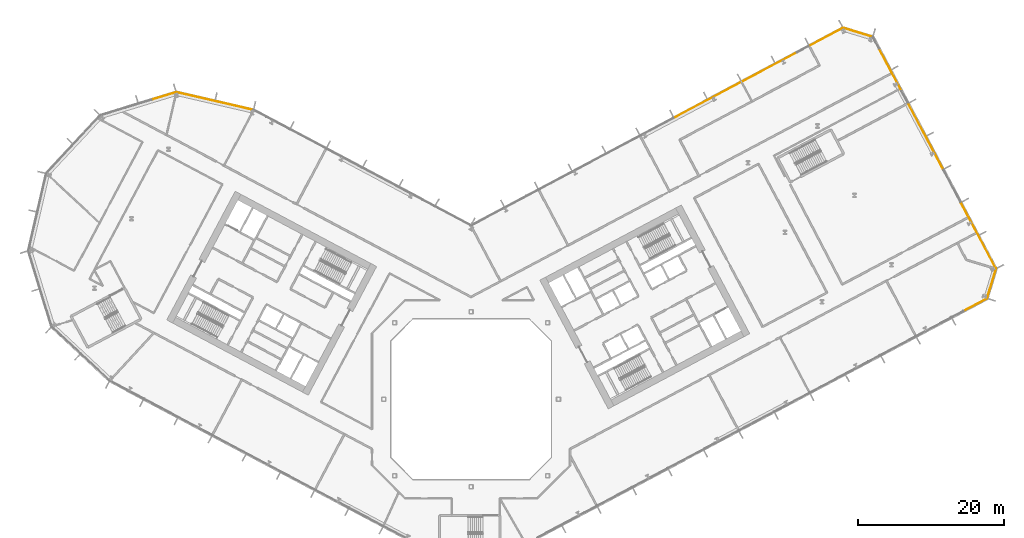
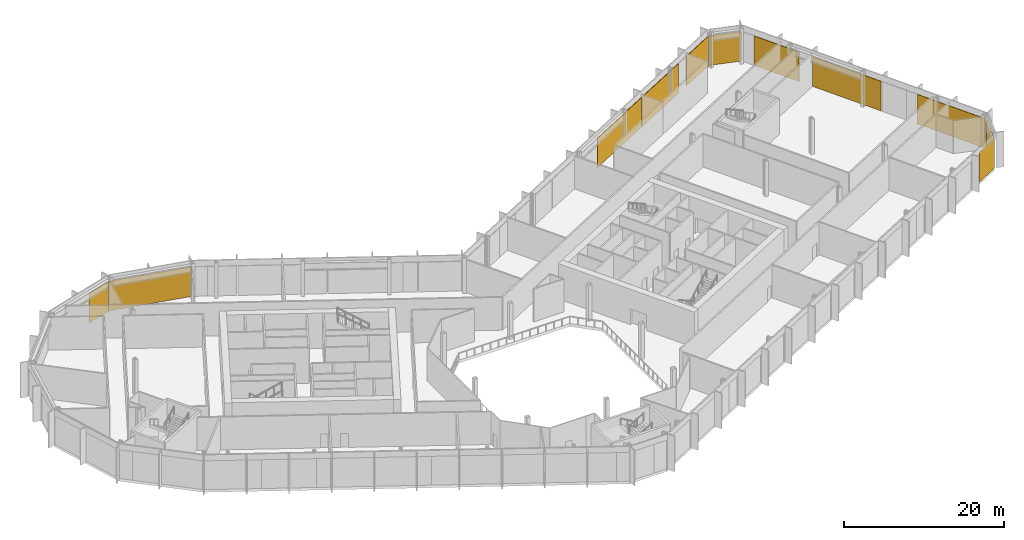
# One storey, part 31 of 32: 11 coverings, 7 elements without a shape of their own.
"""IFC4 building model written with IfcOpenShell, lengths in metres."""

import ifcopenshell
import ifcopenshell.guid

model = None  # the IFC model being written
_history = None  # IfcOwnerHistory: only IFC2X3 demands one
_inside = {}  # id of a spatial element -> (the spatial element, [elements in it])
_under = {}  # id of a project, library or spatial element -> (it, [spatial elements below it])
_declared = {}  # id of a project -> (the project, [libraries it declares])
_typed = {}  # id of a type object -> (the type object, [elements of that type])
_made_of = {}  # id of a material, layer set ... -> (it, [elements and type objects made of it])


def new_model(schema):
    """Start an empty IFC model of exactly this schema.

    Asked for "IFC4X3", IfcOpenShell would pick the latest addendum, in which some entities
    have other attributes; the version numbers below select the first issue.
    IFC2X3 requires an IfcOwnerHistory on every rooted entity: one is made here for all.
    """
    global model, _history
    if schema == "IFC4X3":
        model = ifcopenshell.file(schema_version=(4, 3, 0, 0))
    else:
        model = ifcopenshell.file(schema=schema)
    _inside.clear()
    _under.clear()
    _declared.clear()
    _typed.clear()
    _made_of.clear()
    _history = None
    if model.schema == "IFC2X3":
        org = make("IfcOrganization", Name="unknown")
        user = make(
            "IfcPersonAndOrganization",
            ThePerson=make("IfcPerson", FamilyName="unknown"),
            TheOrganization=org,
        )
        app = make(
            "IfcApplication",
            ApplicationDeveloper=org,
            Version="unknown",
            ApplicationFullName="unknown",
            ApplicationIdentifier="unknown",
        )
        _history = make(
            "IfcOwnerHistory",
            OwningUser=user,
            OwningApplication=app,
            ChangeAction="ADDED",
            CreationDate=0,
        )
    return model


def make(cls, **values):
    """One entity of the class cls with the attributes given. An attribute that is None is left unset."""
    return model.create_entity(
        cls, **{name: value for name, value in values.items() if value is not None}
    )


def rooted(cls, **values):
    """An entity with a GlobalId (a new one), such as an element, a storey or a relation."""
    return make(cls, GlobalId=ifcopenshell.guid.new(), OwnerHistory=_history, **values)


def si_unit(unit_type, name, prefix=None):
    """IfcSIUnit, for example si_unit("LENGTHUNIT", "METRE", prefix="MILLI")."""
    return make("IfcSIUnit", UnitType=unit_type, Prefix=prefix, Name=name)


def assignment(units):
    """IfcUnitAssignment: the units of a project."""
    return None if units is None else make("IfcUnitAssignment", Units=units)


def point(xyz):
    """IfcCartesianPoint."""
    return None if xyz is None else make("IfcCartesianPoint", Coordinates=xyz)


def direction(xyz):
    """IfcDirection."""
    return None if xyz is None else make("IfcDirection", DirectionRatios=xyz)


def frame(location, z_axis=None, x_axis=None):
    """IfcAxis2Placement3D, a coordinate frame: its origin and axes. An axis left out is left unset."""
    return make(
        "IfcAxis2Placement3D",
        Location=point(location),
        Axis=direction(z_axis),
        RefDirection=direction(x_axis),
    )


def frame_2d(location, x_axis=None):
    """IfcAxis2Placement2D, a coordinate frame in the plane: its origin and x axis."""
    return make(
        "IfcAxis2Placement2D", Location=point(location), RefDirection=direction(x_axis)
    )


def origin():
    """The frame at (0, 0, 0) with its axes left unset."""
    return frame((0.0, 0.0, 0.0))


def origin_2d():
    """The frame at (0, 0) in the plane with its x axis left unset."""
    return frame_2d((0.0, 0.0))


def place(relative_to, where):
    """IfcLocalPlacement: puts the frame where relative to a parent placement (None: the world)."""
    return make(
        "IfcLocalPlacement", PlacementRelTo=relative_to, RelativePlacement=where
    )


def context(
    kind, dimensions, precision=None, world=None, true_north=None, identifier=None
):
    """IfcGeometricRepresentationContext, for example the 3D "Model" context."""
    return make(
        "IfcGeometricRepresentationContext",
        ContextIdentifier=identifier,
        ContextType=kind,
        CoordinateSpaceDimension=dimensions,
        Precision=precision,
        WorldCoordinateSystem=world,
        TrueNorth=true_north,
    )


def subcontext(parent, identifier, kind, view, scale=None):
    """IfcGeometricRepresentationSubContext, for example "Body" below "Model"."""
    return make(
        "IfcGeometricRepresentationSubContext",
        ContextIdentifier=identifier,
        ContextType=kind,
        ParentContext=parent,
        TargetScale=scale,
        TargetView=view,
    )


def project(units=None, contexts=None):
    """IfcProject with its units and contexts."""
    return rooted(
        "IfcProject",
        Name="project",
        RepresentationContexts=contexts,
        UnitsInContext=assignment(units),
    )


def spatial(cls, under=None, at=None, **own):
    """A site, building, storey or space (cls), placed at a placement, below another one or the project."""
    s = rooted(cls, ObjectPlacement=at, **own)
    if under is not None:
        _under.setdefault(under.id(), (under, []))[1].append(s)
    return s


def profile(cls, at=None, kind="AREA", **sizes):
    """A parametric profile (cls). Its sizes go by their IFC names, for example OverallWidth=200.0."""
    return make(cls, ProfileType=kind, Position=at, **sizes)


def rectangle(**sizes):
    """IfcRectangleProfileDef."""
    return profile("IfcRectangleProfileDef", **sizes)


def extrude(swept, where, along, depth):
    """IfcExtrudedAreaSolid: the profile swept, set in the frame where, extruded along a direction by depth."""
    return make(
        "IfcExtrudedAreaSolid",
        SweptArea=swept,
        Position=where,
        ExtrudedDirection=direction(along),
        Depth=depth,
    )


def shape(context_of_items, identifier, shape_type, items):
    """IfcShapeRepresentation: the items that make up one representation, for example the "Body"."""
    return make(
        "IfcShapeRepresentation",
        ContextOfItems=context_of_items,
        RepresentationIdentifier=identifier,
        RepresentationType=shape_type,
        Items=items,
    )


def material(Name=None, Category=None):
    """IfcMaterial."""
    return make("IfcMaterial", Name=Name, Category=Category)


def layer(
    of_material, thickness, ventilated=None, Name=None, Category=None, Priority=None
):
    """IfcMaterialLayer: one layer of a wall or slab, of a material (None: an air gap)."""
    return make(
        "IfcMaterialLayer",
        Material=of_material,
        LayerThickness=thickness,
        IsVentilated=ventilated,
        Name=Name,
        Category=Category,
        Priority=Priority,
    )


def layer_set(layers, Name=None):
    """IfcMaterialLayerSet."""
    return make("IfcMaterialLayerSet", MaterialLayers=layers, LayerSetName=Name)


def made_of(thing, what):
    """Note that an element or type object is made of a material, layer set ...; save() writes the relation."""
    if what is not None:
        _made_of.setdefault(what.id(), (what, []))[1].append(thing)
    return thing


def type_object(cls, material=None, **own):
    """A type object (cls), such as IfcWallType, which elements share."""
    return made_of(rooted(cls, **own), material)


def element(
    cls,
    number,
    at=None,
    inside=None,
    cuts=None,
    type_object=None,
    material=None,
    context=None,
    identifier="Body",
    shape_type=None,
    held_by="IfcProductDefinitionShape",
    body=None,
    shapes=None,
    **own,
):
    """One element of the class cls, such as IfcWall. Its Tag is "e" and its number.

    at: its placement. inside: the storey or other place that contains it. cuts: it is an
    opening in that element (IfcRelVoidsElement). A single representation is given by context,
    identifier, shape_type and body (its items); several are given by shapes. held_by: the class
    of the entity that holds the representations. save() writes the other relations.
    """
    e = rooted(cls, Tag="e%d" % number, ObjectPlacement=at, **own)
    if body is not None:
        shapes = [shape(context, identifier, shape_type, body)]
    if shapes is not None:
        e.Representation = make(held_by, Representations=shapes)
    if inside is not None:
        _inside.setdefault(inside.id(), (inside, []))[1].append(e)
    if cuts is not None:
        rooted(
            "IfcRelVoidsElement", RelatingBuildingElement=cuts, RelatedOpeningElement=e
        )
    if type_object is not None:
        _typed.setdefault(type_object.id(), (type_object, []))[1].append(e)
    return made_of(e, material)


def aggregate(whole, parts):
    """IfcRelAggregates: a whole, such as a stair, and the parts it consists of."""
    return rooted("IfcRelAggregates", RelatingObject=whole, RelatedObjects=parts)


def save(model, path):
    """Write the relations noted so far, then the file.

    IfcRelAggregates (storeys below a building ...), IfcRelContainedInSpatialStructure (elements
    in a storey), IfcRelDefinesByType, IfcRelAssociatesMaterial and IfcRelDeclares: one each for
    every whole, place, type object, material and project.
    """
    for whole, parts in _under.values():
        aggregate(whole, parts)
    for where, things in _inside.values():
        rooted(
            "IfcRelContainedInSpatialStructure",
            RelatedElements=things,
            RelatingStructure=where,
        )
    for kind, things in _typed.values():
        rooted("IfcRelDefinesByType", RelatedObjects=things, RelatingType=kind)
    for what, things in _made_of.values():
        rooted("IfcRelAssociatesMaterial", RelatedObjects=things, RelatingMaterial=what)
    for by, libraries in _declared.values():
        rooted("IfcRelDeclares", RelatingContext=by, RelatedDefinitions=libraries)
    model.write(path)


model = new_model("IFC4")

# Units and contexts
model_context = context("Model", 3, precision=1e-05, world=origin(), true_north=direction((0.0, 1.0)))
body_context = subcontext(model_context, "Body", "Model", "MODEL_VIEW")
ifc_project = project(units=[si_unit("LENGTHUNIT", "METRE"), si_unit("AREAUNIT", "SQUARE_METRE"), si_unit("VOLUMEUNIT", "CUBIC_METRE"), si_unit("PLANEANGLEUNIT", "RADIAN"), si_unit("MASSUNIT", "GRAM", prefix="KILO")], contexts=[model_context])

# Site, building, storey
site_placement = place(None, origin())
site = spatial("IfcSite", under=ifc_project, at=site_placement, CompositionType="ELEMENT")
building_placement = place(site_placement, origin())
building = spatial("IfcBuilding", under=site, at=building_placement, Name="Cormorant Relay Tower", CompositionType="ELEMENT")
storey_placement = place(building_placement, frame((0.0, 0.0, 60.800048828125)))
storey = spatial("IfcBuildingStorey", under=building, at=storey_placement, Name="L11", CompositionType="ELEMENT", Elevation=60.800048828125)

# Curtain wall, covering
ifc_material_1 = material(Name="Aluminium 6063-T6 anodised bronze", Category="aluminium")
ifc_layer_1 = layer(ifc_material_1, 0.235107421875)
ifc_layer_set_1 = layer_set([ifc_layer_1], Name="CW6 data hall curtain wall with mineral wool panels")
curtain_wall_type = type_object("IfcCurtainWallType", Name="CW6 data hall curtain wall with mineral wool panels", PredefinedType="NOTDEFINED", material=ifc_layer_set_1)
curtain_wall_1_placement = place(storey_placement, origin())
curtain_wall_1 = element("IfcCurtainWall", 1, at=curtain_wall_1_placement, inside=storey, type_object=curtain_wall_type, Name="CW6 curtain wall 2", PredefinedType="NOTDEFINED")
ifc_material_2 = material(Name="Mineral wool cored anodised bronze aluminium cassette panel", Category="aluminium")
ifc_layer_2 = layer(ifc_material_2, 0.074951171875)
ifc_layer_set_2 = layer_set([ifc_layer_2], Name="CW6 mineral wool cassette panel 75")
covering_type = type_object("IfcCoveringType", Name="CW6 mineral wool cassette panel 75", PredefinedType="CLADDING", material=ifc_layer_set_2)
covering_1_placement = place(storey_placement, frame((69.1943359375, 12.96484375, 0.0), z_axis=(0.0, 0.0, 1.0), x_axis=(0.882947592859, 0.469471562786, 0.0)))
covering_1 = element("IfcCovering", 2, at=covering_1_placement, type_object=covering_type, Name="CW6 panel S15", PredefinedType="CLADDING", context=body_context, shape_type="SweptSolid", body=[
    extrude(rectangle(XDim=3.63671875, YDim=0.074951171875, at=origin_2d()), origin(), (0.0, 0.0, 1.0), 4.5),
])
aggregate(curtain_wall_1, [covering_1])

curtain_wall_2_placement = place(storey_placement, origin())
curtain_wall_2 = element("IfcCurtainWall", 3, at=curtain_wall_2_placement, inside=storey, type_object=curtain_wall_type, Name="CW6 curtain wall 3", PredefinedType="NOTDEFINED")
covering_2_placement = place(storey_placement, frame((71.44921875, 15.9052734375, 0.0), z_axis=(0.0, 0.0, 1.0), x_axis=(0.292371704723, 0.956304755963, 0.0)))
covering_2 = element("IfcCovering", 4, at=covering_2_placement, type_object=covering_type, Name="CW6 panel S00", PredefinedType="CLADDING", context=body_context, shape_type="SweptSolid", body=[
    extrude(rectangle(XDim=4.16748046875, YDim=0.074951171875, at=origin_2d()), origin(), (0.0, 0.0, 1.0), 4.5),
])
aggregate(curtain_wall_2, [covering_2])

# Curtain wall, coverings
curtain_wall_3_placement = place(storey_placement, origin())
curtain_wall_3 = element("IfcCurtainWall", 5, at=curtain_wall_3_placement, inside=storey, type_object=curtain_wall_type, Name="CW6 curtain wall 4", PredefinedType="NOTDEFINED")
covering_3_placement = place(storey_placement, frame((69.641357421875, 22.46728515625, 0.0), z_axis=(0.0, 0.0, 1.0), x_axis=(-0.469471562786, 0.882947592859, 0.0)))
covering_3 = element("IfcCovering", 6, at=covering_3_placement, type_object=covering_type, Name="CW6 panel S00", PredefinedType="CLADDING", context=body_context, shape_type="SweptSolid", body=[
    extrude(rectangle(XDim=10.1357421875, YDim=0.074951171875, at=origin_2d()), origin(), (0.0, 0.0, 1.0), 4.5),
])
covering_4_placement = place(storey_placement, frame((62.398193359375, 36.090087890625, 0.0), z_axis=(0.0, 0.0, 1.0), x_axis=(-0.469471562786, 0.882947592859, 0.0)))
covering_4 = element("IfcCovering", 7, at=covering_4_placement, type_object=covering_type, Name="CW6 panel S03", PredefinedType="CLADDING", context=body_context, shape_type="SweptSolid", body=[
    extrude(rectangle(XDim=10.1357421875, YDim=0.074951171875, at=origin_2d()), origin(), (0.0, 0.0, 1.0), 4.5),
])
covering_5_placement = place(storey_placement, frame((57.5517578125, 45.204833984375, 0.0), z_axis=(0.0, 0.0, 1.0), x_axis=(-0.469471562786, 0.882947592859, 0.0)))
covering_5 = element("IfcCovering", 8, at=covering_5_placement, type_object=covering_type, Name="CW6 panel S05", PredefinedType="CLADDING", context=body_context, shape_type="SweptSolid", body=[
    extrude(rectangle(XDim=6.610595703125, YDim=0.074951171875, at=origin_2d()), origin(), (0.0, 0.0, 1.0), 4.5),
])
aggregate(curtain_wall_3, [covering_3, covering_4, covering_5])

# Curtain wall, covering
curtain_wall_4_placement = place(storey_placement, origin())
curtain_wall_4 = element("IfcCurtainWall", 9, at=curtain_wall_4_placement, inside=storey, type_object=curtain_wall_type, Name="CW6 curtain wall 5", PredefinedType="NOTDEFINED")
covering_6_placement = place(storey_placement, frame((53.068115234375, 50.362060546875, 0.0), z_axis=(0.0, 0.0, 1.0), x_axis=(-0.956304755963, 0.292371704723, 0.0)))
covering_6 = element("IfcCovering", 10, at=covering_6_placement, type_object=covering_type, Name="CW6 panel S00", PredefinedType="CLADDING", context=body_context, shape_type="SweptSolid", body=[
    extrude(rectangle(XDim=4.16748046875, YDim=0.074951171875, at=origin_2d()), origin(), (0.0, 0.0, 1.0), 4.5),
])
aggregate(curtain_wall_4, [covering_6])

# Curtain wall, coverings
curtain_wall_5_placement = place(storey_placement, origin())
curtain_wall_5 = element("IfcCurtainWall", 11, at=curtain_wall_5_placement, inside=storey, type_object=curtain_wall_type, Name="CW6 curtain wall 6", PredefinedType="NOTDEFINED")
covering_7_placement = place(storey_placement, frame((48.725830078125, 49.734375, 0.0), z_axis=(0.0, 0.0, 1.0), x_axis=(-0.882947592859, -0.469471562786, 0.0)))
covering_7 = element("IfcCovering", 12, at=covering_7_placement, type_object=covering_type, Name="CW6 panel S00", PredefinedType="CLADDING", context=body_context, shape_type="SweptSolid", body=[
    extrude(rectangle(XDim=5.107666015625, YDim=0.074951171875, at=origin_2d()), origin(), (0.0, 0.0, 1.0), 4.5),
])
covering_8_placement = place(storey_placement, frame((40.9677734375, 45.609375, 0.0), z_axis=(0.0, 0.0, 1.0), x_axis=(-0.882947592859, -0.469471562786, 0.0)))
covering_8 = element("IfcCovering", 13, at=covering_8_placement, type_object=covering_type, Name="CW6 panel S02", PredefinedType="CLADDING", context=body_context, shape_type="SweptSolid", body=[
    extrude(rectangle(XDim=8.565185546875, YDim=0.074951171875, at=origin_2d()), origin(), (0.0, 0.0, 1.0), 4.5),
])
covering_9_placement = place(storey_placement, frame((32.47802734375, 41.09521484375, 0.0), z_axis=(0.0, 0.0, 1.0), x_axis=(-0.882947592859, -0.469471562786, 0.0)))
covering_9 = element("IfcCovering", 14, at=covering_9_placement, type_object=covering_type, Name="CW6 panel S03", PredefinedType="CLADDING", context=body_context, shape_type="SweptSolid", body=[
    extrude(rectangle(XDim=10.365234375, YDim=0.074951171875, at=origin_2d()), origin(), (0.0, 0.0, 1.0), 4.5),
])
aggregate(curtain_wall_5, [covering_7, covering_8, covering_9])

# Curtain wall, covering
curtain_wall_6_placement = place(storey_placement, origin())
curtain_wall_6 = element("IfcCurtainWall", 15, at=curtain_wall_6_placement, inside=storey, type_object=curtain_wall_type, Name="CW6 curtain wall 8", PredefinedType="NOTDEFINED")
covering_10_placement = place(storey_placement, frame((-35.19775390625, 40.935791015625, 0.0), z_axis=(0.0, 0.0, 1.0), x_axis=(-0.974370064785, 0.224951054344, 0.0)))
covering_10 = element("IfcCovering", 16, at=covering_10_placement, type_object=covering_type, Name="CW6 panel S00", PredefinedType="CLADDING", context=body_context, shape_type="SweptSolid", body=[
    extrude(rectangle(XDim=10.79541015625, YDim=0.074951171875, at=origin_2d()), origin(), (0.0, 0.0, 1.0), 4.5),
])
aggregate(curtain_wall_6, [covering_10])

curtain_wall_7_placement = place(storey_placement, origin())
curtain_wall_7 = element("IfcCurtainWall", 17, at=curtain_wall_7_placement, inside=storey, type_object=curtain_wall_type, Name="CW6 curtain wall 9", PredefinedType="NOTDEFINED")
covering_11_placement = place(storey_placement, frame((-42.214599609375, 41.617919921875, 0.0), z_axis=(0.0, 0.0, 1.0), x_axis=(-0.956304755963, -0.292371704723, 0.0)))
covering_11 = element("IfcCovering", 18, at=covering_11_placement, type_object=covering_type, Name="CW6 panel S00", PredefinedType="CLADDING", context=body_context, shape_type="SweptSolid", body=[
    extrude(rectangle(XDim=3.485107421875, YDim=0.074951171875, at=origin_2d()), origin(), (0.0, 0.0, 1.0), 4.5),
])
aggregate(curtain_wall_7, [covering_11])

save(model, "model.ifc")
